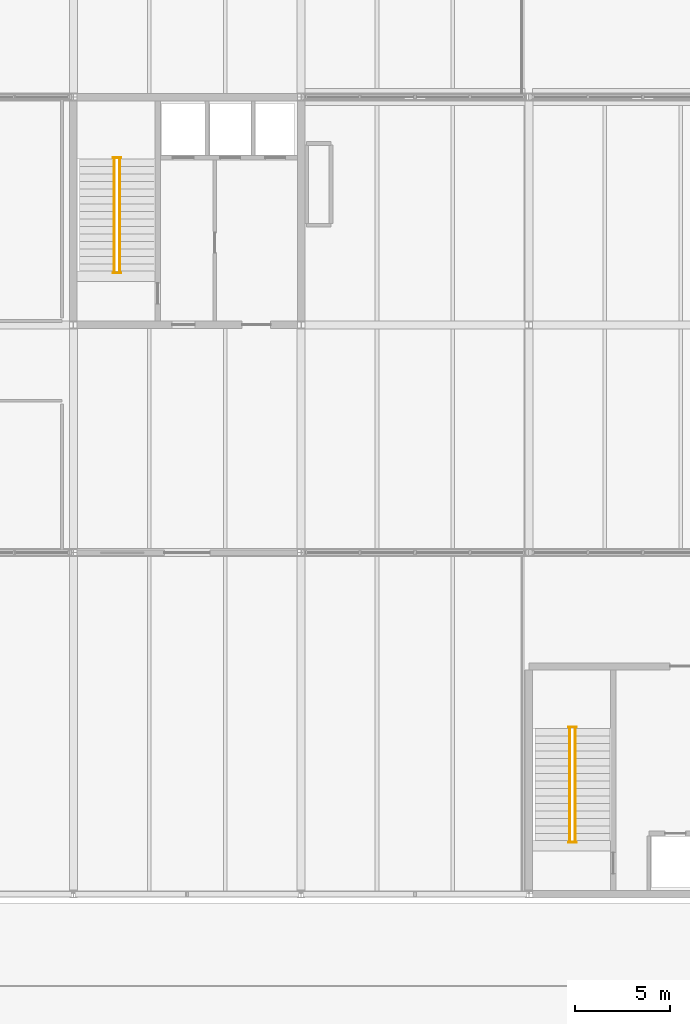
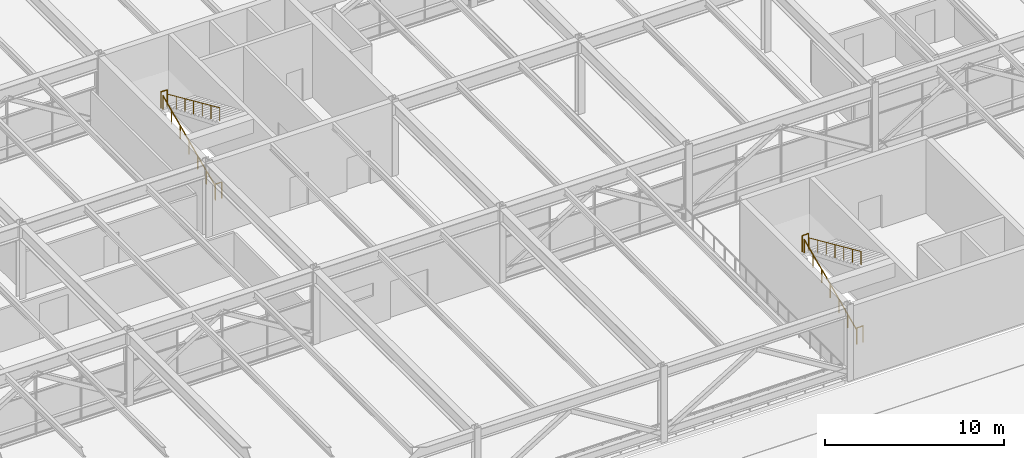
# One storey, part 39 of 42: 8 railings.
"""IFC4 building model written with IfcOpenShell, lengths in metres."""

from ifc_helpers import new_model, si_unit, direction, frame, origin, origin_2d, place, context, subcontext, project, spatial, circle, extrude, material, layer, layer_set, type_object, element, save


model = new_model("IFC4")

# Units and contexts
model_context = context("Model", 3, precision=1e-05, world=origin(), true_north=direction((0.0, 1.0)))
body_context = subcontext(model_context, "Body", "Model", "MODEL_VIEW")
ifc_project = project(units=[si_unit("LENGTHUNIT", "METRE"), si_unit("AREAUNIT", "SQUARE_METRE"), si_unit("VOLUMEUNIT", "CUBIC_METRE"), si_unit("PLANEANGLEUNIT", "RADIAN"), si_unit("MASSUNIT", "GRAM", prefix="KILO")], contexts=[model_context])

# Site, building, storey
site_placement = place(None, origin())
site = spatial("IfcSite", under=ifc_project, at=site_placement, CompositionType="ELEMENT")
building_placement = place(site_placement, origin())
building = spatial("IfcBuilding", under=site, at=building_placement, Name="Girod Span Mobility Hub", CompositionType="ELEMENT")
storey_placement = place(building_placement, frame((0.0, 0.0, 32.39990234375)))
storey = spatial("IfcBuildingStorey", under=building, at=storey_placement, Name="L08", CompositionType="ELEMENT", Elevation=32.39990234375)

# Railings
ifc_material_1 = material(Name="Painted Galvanised Steel", Category="steel")
ifc_layer_1 = layer(ifc_material_1, 0.06494140625)
ifc_layer_set_1 = layer_set([ifc_layer_1], Name="Painted Galvanised Steel")
railing_type_1 = type_object("IfcRailingType", Name="RL-GRD-1120", PredefinedType="GUARDRAIL", material=ifc_layer_set_1)
for number, where, name in (
    (1, (50.10009765625, 65.81005859375, 2.60009765625), "Stair ST-1 Half-Landing Well Guard L08"),
    (2, (50.10009765625, 59.72998046875, 0.0), "Stair ST-1 Landing Well Guard L08"),
    (3, (74.10009765625, 35.81005859375, 2.60009765625), "Stair ST-3 Half-Landing Well Guard L08"),
    (4, (74.10009765625, 29.72998046875, 0.0), "Stair ST-3 Landing Well Guard L08"),
):
    element("IfcRailing", number, at=place(storey_placement, frame(where)), inside=storey, type_object=railing_type_1, Name=name, PredefinedType="GUARDRAIL", context=body_context, shape_type="SweptSolid", body=[
        extrude(circle(Radius=0.02392578125, at=origin_2d()), frame((0.0, 0.0, 1.09619140625), z_axis=(1.0, 0.0, 0.0), x_axis=(0.0, 1.0, 0.0)), (0.0, 0.0, 1.0), 0.39990234375),
        extrude(circle(Radius=0.02099609375, at=origin_2d()), origin(), (0.0, 0.0, 1.0), 1.072021484375),
        extrude(circle(Radius=0.02099609375, at=origin_2d()), frame((0.39990234375, 0.0, 0.0)), (0.0, 0.0, 1.0), 1.072021484375),
    ])
ifc_material_2 = material(Name="Painted Galvanised Steel", Category="steel")
ifc_layer_2 = layer(ifc_material_2, 0.050048828125)
ifc_layer_set_2 = layer_set([ifc_layer_2], Name="Painted Galvanised Steel")
railing_type_2 = type_object("IfcRailingType", Name="RL-HR-920", PredefinedType="HANDRAIL", material=ifc_layer_set_2)
railing_1_placement = place(storey_placement, frame((50.14990234375, 59.860107421875, 0.0)))
element("IfcRailing", 5, at=railing_1_placement, inside=storey, type_object=railing_type_2, Name="Stair ST-1 Flight 1 Handrail L08", PredefinedType="HANDRAIL", context=body_context, shape_type="SweptSolid", body=[
    extrude(circle(Radius=0.02392578125, at=origin_2d()), frame((0.0, 0.0, 0.89599609375), z_axis=(0.0, 0.913023278931, 0.407907455349), x_axis=(-1.0, 0.0, 0.0)), (0.0, 0.0, 1.0), 6.374267578125),
    extrude(circle(Radius=0.02099609375, at=origin_2d()), origin(), (0.0, 0.0, 1.0), 0.871826171875),
    extrude(circle(Radius=0.02099609375, at=origin_2d()), frame((0.0, 0.969970703125, 0.433349609375)), (0.0, 0.0, 1.0), 0.871826171875),
    extrude(circle(Radius=0.02099609375, at=origin_2d()), frame((0.0, 1.93994140625, 0.86669921875)), (0.0, 0.0, 1.0), 0.871826171875),
    extrude(circle(Radius=0.02099609375, at=origin_2d()), frame((0.0, 2.909912109375, 1.300048828125)), (0.0, 0.0, 1.0), 0.871826171875),
    extrude(circle(Radius=0.02099609375, at=origin_2d()), frame((0.0, 3.8798828125, 1.7333984375)), (0.0, 0.0, 1.0), 0.871826171875),
    extrude(circle(Radius=0.02099609375, at=origin_2d()), frame((0.0, 4.849853515625, 2.166748046875)), (0.0, 0.0, 1.0), 0.871826171875),
    extrude(circle(Radius=0.02099609375, at=origin_2d()), frame((0.0, 5.81982421875, 2.60009765625)), (0.0, 0.0, 1.0), 0.871826171875),
])
railing_2_placement = place(storey_placement, frame((50.449951171875, 65.679931640625, 2.60009765625)))
element("IfcRailing", 6, at=railing_2_placement, inside=storey, type_object=railing_type_2, Name="Stair ST-1 Flight 2 Handrail L08", PredefinedType="HANDRAIL", context=body_context, shape_type="SweptSolid", body=[
    extrude(circle(Radius=0.02392578125, at=origin_2d()), frame((0.0, 0.0, 0.89599609375), z_axis=(0.0, -0.913023278931, 0.407907455349), x_axis=(1.0, 0.0, 0.0)), (0.0, 0.0, 1.0), 6.374267578125),
    extrude(circle(Radius=0.02099609375, at=origin_2d()), origin(), (0.0, 0.0, 1.0), 0.871826171875),
    extrude(circle(Radius=0.02099609375, at=origin_2d()), frame((0.0, -0.969970703125, 0.433349609375)), (0.0, 0.0, 1.0), 0.871826171875),
    extrude(circle(Radius=0.02099609375, at=origin_2d()), frame((0.0, -1.93994140625, 0.86669921875)), (0.0, 0.0, 1.0), 0.871826171875),
    extrude(circle(Radius=0.02099609375, at=origin_2d()), frame((0.0, -2.909912109375, 1.300048828125)), (0.0, 0.0, 1.0), 0.871826171875),
    extrude(circle(Radius=0.02099609375, at=origin_2d()), frame((0.0, -3.8798828125, 1.7333984375)), (0.0, 0.0, 1.0), 0.871826171875),
    extrude(circle(Radius=0.02099609375, at=origin_2d()), frame((0.0, -4.849853515625, 2.166748046875)), (0.0, 0.0, 1.0), 0.871826171875),
    extrude(circle(Radius=0.02099609375, at=origin_2d()), frame((0.0, -5.81982421875, 2.60009765625)), (0.0, 0.0, 1.0), 0.871826171875),
])
railing_3_placement = place(storey_placement, frame((74.14990234375, 29.860107421875, 0.0)))
element("IfcRailing", 7, at=railing_3_placement, inside=storey, type_object=railing_type_2, Name="Stair ST-3 Flight 1 Handrail L08", PredefinedType="HANDRAIL", context=body_context, shape_type="SweptSolid", body=[
    extrude(circle(Radius=0.02392578125, at=origin_2d()), frame((0.0, 0.0, 0.89599609375), z_axis=(0.0, 0.913023278931, 0.407907455349), x_axis=(-1.0, 0.0, 0.0)), (0.0, 0.0, 1.0), 6.374267578125),
    extrude(circle(Radius=0.02099609375, at=origin_2d()), origin(), (0.0, 0.0, 1.0), 0.871826171875),
    extrude(circle(Radius=0.02099609375, at=origin_2d()), frame((0.0, 0.969970703125, 0.433349609375)), (0.0, 0.0, 1.0), 0.871826171875),
    extrude(circle(Radius=0.02099609375, at=origin_2d()), frame((0.0, 1.93994140625, 0.86669921875)), (0.0, 0.0, 1.0), 0.871826171875),
    extrude(circle(Radius=0.02099609375, at=origin_2d()), frame((0.0, 2.909912109375, 1.300048828125)), (0.0, 0.0, 1.0), 0.871826171875),
    extrude(circle(Radius=0.02099609375, at=origin_2d()), frame((0.0, 3.8798828125, 1.7333984375)), (0.0, 0.0, 1.0), 0.871826171875),
    extrude(circle(Radius=0.02099609375, at=origin_2d()), frame((0.0, 4.849853515625, 2.166748046875)), (0.0, 0.0, 1.0), 0.871826171875),
    extrude(circle(Radius=0.02099609375, at=origin_2d()), frame((0.0, 5.81982421875, 2.60009765625)), (0.0, 0.0, 1.0), 0.871826171875),
])
railing_4_placement = place(storey_placement, frame((74.449951171875, 35.679931640625, 2.60009765625)))
element("IfcRailing", 8, at=railing_4_placement, inside=storey, type_object=railing_type_2, Name="Stair ST-3 Flight 2 Handrail L08", PredefinedType="HANDRAIL", context=body_context, shape_type="SweptSolid", body=[
    extrude(circle(Radius=0.02392578125, at=origin_2d()), frame((0.0, 0.0, 0.89599609375), z_axis=(0.0, -0.913023278931, 0.407907455349), x_axis=(1.0, 0.0, 0.0)), (0.0, 0.0, 1.0), 6.374267578125),
    extrude(circle(Radius=0.02099609375, at=origin_2d()), origin(), (0.0, 0.0, 1.0), 0.871826171875),
    extrude(circle(Radius=0.02099609375, at=origin_2d()), frame((0.0, -0.969970703125, 0.433349609375)), (0.0, 0.0, 1.0), 0.871826171875),
    extrude(circle(Radius=0.02099609375, at=origin_2d()), frame((0.0, -1.93994140625, 0.86669921875)), (0.0, 0.0, 1.0), 0.871826171875),
    extrude(circle(Radius=0.02099609375, at=origin_2d()), frame((0.0, -2.909912109375, 1.300048828125)), (0.0, 0.0, 1.0), 0.871826171875),
    extrude(circle(Radius=0.02099609375, at=origin_2d()), frame((0.0, -3.8798828125, 1.7333984375)), (0.0, 0.0, 1.0), 0.871826171875),
    extrude(circle(Radius=0.02099609375, at=origin_2d()), frame((0.0, -4.849853515625, 2.166748046875)), (0.0, 0.0, 1.0), 0.871826171875),
    extrude(circle(Radius=0.02099609375, at=origin_2d()), frame((0.0, -5.81982421875, 2.60009765625)), (0.0, 0.0, 1.0), 0.871826171875),
])

save(model, "model.ifc")
